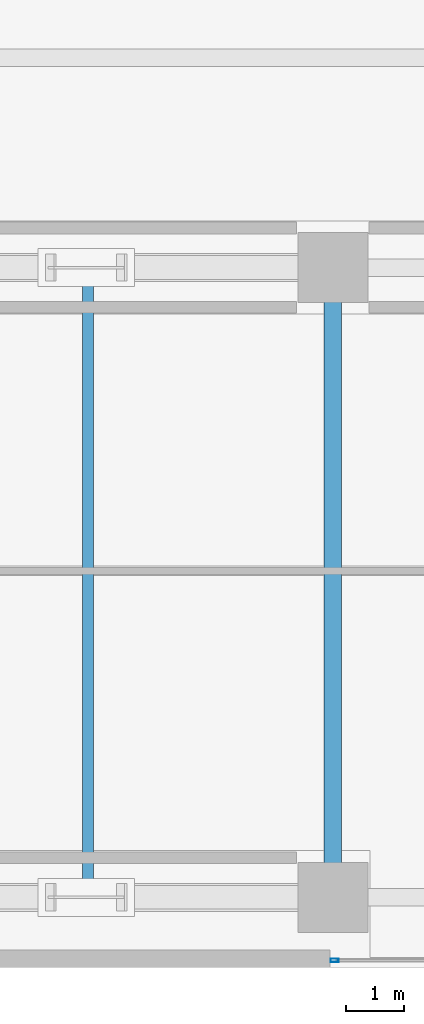
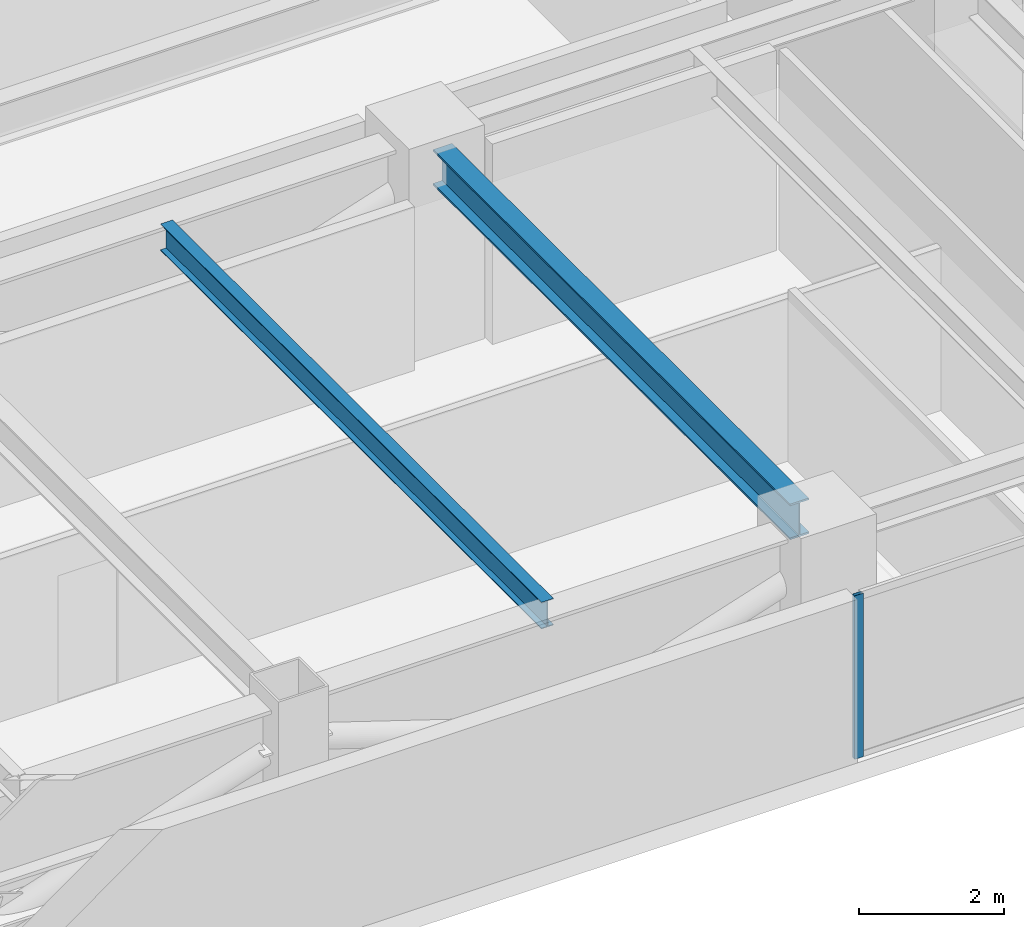
# One storey, part 6 of 27: 2 beams, 1 member, 1 element without a shape of its own.
"""IFC4 building model written with IfcOpenShell, lengths in metres."""

from ifc_helpers import new_model, si_unit, direction, frame, origin, origin_2d, place, context, subcontext, project, spatial, hollow_rectangle, i_section, extrude, source, transform, mapped, material, layer, layer_set, material_profile, profile_set, type_object, element, aggregate, save


model = new_model("IFC4")

# Units and contexts
model_context = context("Model", 3, precision=1e-05, world=origin(), true_north=direction((0.0, 1.0)))
body_context = subcontext(model_context, "Body", "Model", "MODEL_VIEW")
ifc_project = project(units=[si_unit("LENGTHUNIT", "METRE"), si_unit("AREAUNIT", "SQUARE_METRE"), si_unit("VOLUMEUNIT", "CUBIC_METRE"), si_unit("PLANEANGLEUNIT", "RADIAN"), si_unit("MASSUNIT", "GRAM", prefix="KILO")], contexts=[model_context])

# Site, building, storey
site_placement = place(None, origin())
site = spatial("IfcSite", under=ifc_project, at=site_placement, CompositionType="ELEMENT")
building_placement = place(site_placement, origin())
building = spatial("IfcBuilding", under=site, at=building_placement, Name="Sumidabori Civic Tower", CompositionType="ELEMENT")
storey_placement = place(building_placement, frame((0.0, 0.0, 228.800048828125)))
storey = spatial("IfcBuildingStorey", under=building, at=storey_placement, Name="L59", CompositionType="ELEMENT", Elevation=228.800048828125)

# Beams
ifc_material_1 = material(Name="Steel SN490", Category="steel")
ifc_material_profile_1 = material_profile(ifc_material_1, i_section(OverallWidth=0.300048828125, OverallDepth=0.60009765625, WebThickness=0.015380859375, FlangeThickness=0.030029296875, at=origin_2d()), Name="HE 600 B")
ifc_profile_set_1 = profile_set([ifc_material_profile_1], Name="Steel SN490")
beam_type_1 = type_object("IfcBeamType", Name="BM-GIRD-600", PredefinedType="BEAM", material=ifc_profile_set_1)
shared_shape_1 = source(origin(), body_context, "Body", "SweptSolid", [
    extrude(i_section(OverallWidth=0.300048828125, OverallDepth=0.60009765625, WebThickness=0.015380859375, FlangeThickness=0.030029296875, at=origin_2d()), origin(), (0.0, 0.0, 1.0), 9.840087890625),
])
beam_1_placement = place(storey_placement, frame((8.39990234375, -10.320068359375, 3.070068359375), z_axis=(0.0, 1.0, 0.0), x_axis=(-1.0, 0.0, 0.0)))
element("IfcBeam", 1, at=beam_1_placement, inside=storey, type_object=beam_type_1, Name="Primary Girder L59 GY-10", PredefinedType="BEAM", context=body_context, shape_type="MappedRepresentation", body=[
    mapped(shared_shape_1, transform((0.0, 0.0, 0.0), x_axis=(1.0, 0.0, 0.0), y_axis=(0.0, 1.0, 0.0), z_axis=(0.0, 0.0, 1.0), scale=1.0)),
])
ifc_material_profile_2 = material_profile(ifc_material_1, i_section(OverallWidth=0.18994140625, OverallDepth=0.449951171875, WebThickness=0.009521484375, FlangeThickness=0.0146484375, at=origin_2d()), Name="IPE 450")
ifc_profile_set_2 = profile_set([ifc_material_profile_2], Name="Steel SN490")
beam_type_2 = type_object("IfcBeamType", Name="BM-JST-450", PredefinedType="JOIST", material=ifc_profile_set_2)
shared_shape_2 = source(origin(), body_context, "Body", "SweptSolid", [
    extrude(i_section(OverallWidth=0.18994140625, OverallDepth=0.449951171875, WebThickness=0.009521484375, FlangeThickness=0.0146484375, at=origin_2d()), origin(), (0.0, 0.0, 1.0), 10.5),
])
beam_2_placement = place(storey_placement, frame((4.199951171875, -10.64990234375, 3.14501953125), z_axis=(0.0, 1.0, 0.0), x_axis=(-1.0, 0.0, 0.0)))
element("IfcBeam", 2, at=beam_2_placement, inside=storey, type_object=beam_type_2, Name="Upper Lens N-S Floor Joist L59 JSTV-18", PredefinedType="JOIST", context=body_context, shape_type="MappedRepresentation", body=[
    mapped(shared_shape_2, transform((0.0, 0.0, 0.0), x_axis=(1.0, 0.0, 0.0), y_axis=(0.0, 1.0, 0.0), z_axis=(0.0, 0.0, 1.0), scale=1.0)),
])

# Curtain wall, member
ifc_material_2 = material(Name="Anodised Bronze Aluminium AW-6063-T6", Category="aluminium")
ifc_layer = layer(ifc_material_2, 0.179931640625, Name="Anodised Bronze Aluminium AW-6063-T6")
ifc_layer_set = layer_set([ifc_layer], Name="Anodised Bronze Aluminium AW-6063-T6")
curtain_wall_type = type_object("IfcCurtainWallType", Name="CW-SYS-5", PredefinedType="NOTDEFINED", material=ifc_layer_set)
curtain_wall_placement = place(storey_placement, origin())
curtain_wall = element("IfcCurtainWall", 3, at=curtain_wall_placement, inside=storey, type_object=curtain_wall_type, Name="Curtain Wall CW:L59:R02", PredefinedType="NOTDEFINED")
ifc_material_profile_3 = material_profile(ifc_material_2, hollow_rectangle(XDim=0.06005859375, YDim=0.139892578125, WallThickness=0.0048828125, at=origin_2d()), Name="ALU MULLION 140x60")
ifc_profile_set_3 = profile_set([ifc_material_profile_3], Name="Anodised Bronze Aluminium AW-6063-T6")
member_type = type_object("IfcMemberType", Name="CW-MUL-140", PredefinedType="MULLION", material=ifc_profile_set_3)
shared_shape_3 = source(origin(), body_context, "Body", "SweptSolid", [
    extrude(hollow_rectangle(XDim=0.06005859375, YDim=0.139892578125, WallThickness=0.0048828125, at=origin_2d()), origin(), (0.0, 0.0, 1.0), 2.75),
])
member_placement = place(storey_placement, frame((8.429931640625, -11.8798828125, 0.0), z_axis=(0.0, 0.0, 1.0), x_axis=(0.0, 1.0, 0.0)))
member = element("IfcMember", 4, at=member_placement, type_object=member_type, Name="CW-5 mullion 1", PredefinedType="MULLION", context=body_context, shape_type="MappedRepresentation", body=[
    mapped(shared_shape_3, transform((0.0, 0.0, 0.0), x_axis=(1.0, 0.0, 0.0), y_axis=(0.0, 1.0, 0.0), z_axis=(0.0, 0.0, 1.0), scale=1.0)),
])
aggregate(curtain_wall, [member])

save(model, "model.ifc")
